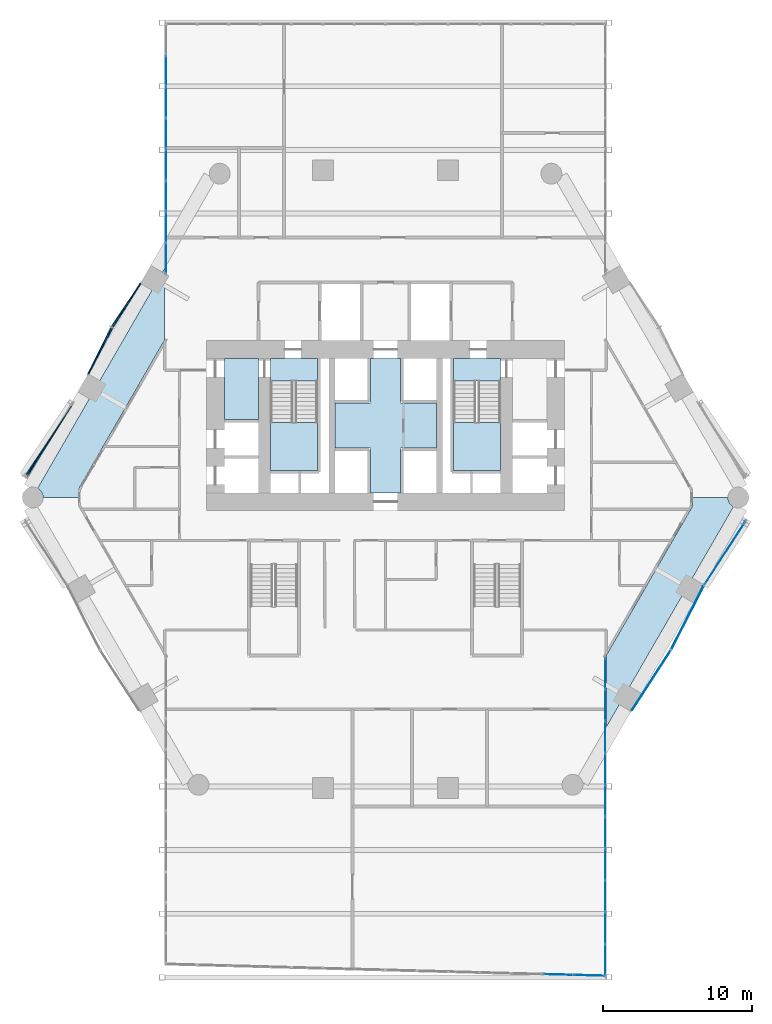
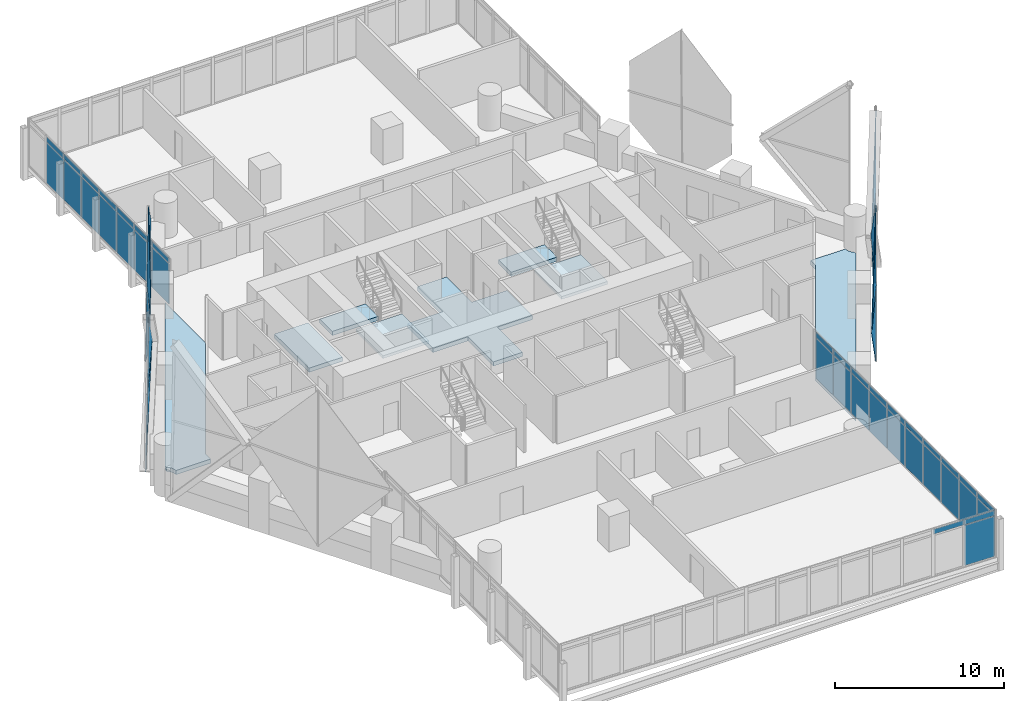
# One storey, part 24 of 35: 49 plates, 8 slabs, 13 elements without a shape of their own.
"""IFC4 building model written with IfcOpenShell, lengths in metres."""

import ifcopenshell
import ifcopenshell.guid

model = None  # the IFC model being written
_history = None  # IfcOwnerHistory: only IFC2X3 demands one
_inside = {}  # id of a spatial element -> (the spatial element, [elements in it])
_under = {}  # id of a project, library or spatial element -> (it, [spatial elements below it])
_declared = {}  # id of a project -> (the project, [libraries it declares])
_typed = {}  # id of a type object -> (the type object, [elements of that type])
_made_of = {}  # id of a material, layer set ... -> (it, [elements and type objects made of it])


def new_model(schema):
    """Start an empty IFC model of exactly this schema.

    Asked for "IFC4X3", IfcOpenShell would pick the latest addendum, in which some entities
    have other attributes; the version numbers below select the first issue.
    IFC2X3 requires an IfcOwnerHistory on every rooted entity: one is made here for all.
    """
    global model, _history
    if schema == "IFC4X3":
        model = ifcopenshell.file(schema_version=(4, 3, 0, 0))
    else:
        model = ifcopenshell.file(schema=schema)
    _inside.clear()
    _under.clear()
    _declared.clear()
    _typed.clear()
    _made_of.clear()
    _history = None
    if model.schema == "IFC2X3":
        org = make("IfcOrganization", Name="unknown")
        user = make(
            "IfcPersonAndOrganization",
            ThePerson=make("IfcPerson", FamilyName="unknown"),
            TheOrganization=org,
        )
        app = make(
            "IfcApplication",
            ApplicationDeveloper=org,
            Version="unknown",
            ApplicationFullName="unknown",
            ApplicationIdentifier="unknown",
        )
        _history = make(
            "IfcOwnerHistory",
            OwningUser=user,
            OwningApplication=app,
            ChangeAction="ADDED",
            CreationDate=0,
        )
    return model


def make(cls, **values):
    """One entity of the class cls with the attributes given. An attribute that is None is left unset."""
    return model.create_entity(
        cls, **{name: value for name, value in values.items() if value is not None}
    )


def rooted(cls, **values):
    """An entity with a GlobalId (a new one), such as an element, a storey or a relation."""
    return make(cls, GlobalId=ifcopenshell.guid.new(), OwnerHistory=_history, **values)


def si_unit(unit_type, name, prefix=None):
    """IfcSIUnit, for example si_unit("LENGTHUNIT", "METRE", prefix="MILLI")."""
    return make("IfcSIUnit", UnitType=unit_type, Prefix=prefix, Name=name)


def assignment(units):
    """IfcUnitAssignment: the units of a project."""
    return None if units is None else make("IfcUnitAssignment", Units=units)


def point(xyz):
    """IfcCartesianPoint."""
    return None if xyz is None else make("IfcCartesianPoint", Coordinates=xyz)


def direction(xyz):
    """IfcDirection."""
    return None if xyz is None else make("IfcDirection", DirectionRatios=xyz)


def frame(location, z_axis=None, x_axis=None):
    """IfcAxis2Placement3D, a coordinate frame: its origin and axes. An axis left out is left unset."""
    return make(
        "IfcAxis2Placement3D",
        Location=point(location),
        Axis=direction(z_axis),
        RefDirection=direction(x_axis),
    )


def frame_2d(location, x_axis=None):
    """IfcAxis2Placement2D, a coordinate frame in the plane: its origin and x axis."""
    return make(
        "IfcAxis2Placement2D", Location=point(location), RefDirection=direction(x_axis)
    )


def origin():
    """The frame at (0, 0, 0) with its axes left unset."""
    return frame((0.0, 0.0, 0.0))


def origin_2d():
    """The frame at (0, 0) in the plane with its x axis left unset."""
    return frame_2d((0.0, 0.0))


def place(relative_to, where):
    """IfcLocalPlacement: puts the frame where relative to a parent placement (None: the world)."""
    return make(
        "IfcLocalPlacement", PlacementRelTo=relative_to, RelativePlacement=where
    )


def context(
    kind, dimensions, precision=None, world=None, true_north=None, identifier=None
):
    """IfcGeometricRepresentationContext, for example the 3D "Model" context."""
    return make(
        "IfcGeometricRepresentationContext",
        ContextIdentifier=identifier,
        ContextType=kind,
        CoordinateSpaceDimension=dimensions,
        Precision=precision,
        WorldCoordinateSystem=world,
        TrueNorth=true_north,
    )


def subcontext(parent, identifier, kind, view, scale=None):
    """IfcGeometricRepresentationSubContext, for example "Body" below "Model"."""
    return make(
        "IfcGeometricRepresentationSubContext",
        ContextIdentifier=identifier,
        ContextType=kind,
        ParentContext=parent,
        TargetScale=scale,
        TargetView=view,
    )


def project(units=None, contexts=None):
    """IfcProject with its units and contexts."""
    return rooted(
        "IfcProject",
        Name="project",
        RepresentationContexts=contexts,
        UnitsInContext=assignment(units),
    )


def spatial(cls, under=None, at=None, **own):
    """A site, building, storey or space (cls), placed at a placement, below another one or the project."""
    s = rooted(cls, ObjectPlacement=at, **own)
    if under is not None:
        _under.setdefault(under.id(), (under, []))[1].append(s)
    return s


def polyline(points):
    """IfcPolyline through the points."""
    return make("IfcPolyline", Points=[point(p) for p in points])


def profile(cls, at=None, kind="AREA", **sizes):
    """A parametric profile (cls). Its sizes go by their IFC names, for example OverallWidth=200.0."""
    return make(cls, ProfileType=kind, Position=at, **sizes)


def rectangle(**sizes):
    """IfcRectangleProfileDef."""
    return profile("IfcRectangleProfileDef", **sizes)


def outline(outer, holes=None, kind="AREA"):
    """IfcArbitraryClosedProfileDef: a profile drawn as a closed curve; with holes, ...WithVoids."""
    if holes is None:
        return make("IfcArbitraryClosedProfileDef", ProfileType=kind, OuterCurve=outer)
    return make(
        "IfcArbitraryProfileDefWithVoids",
        ProfileType=kind,
        OuterCurve=outer,
        InnerCurves=holes,
    )


def extrude(swept, where, along, depth):
    """IfcExtrudedAreaSolid: the profile swept, set in the frame where, extruded along a direction by depth."""
    return make(
        "IfcExtrudedAreaSolid",
        SweptArea=swept,
        Position=where,
        ExtrudedDirection=direction(along),
        Depth=depth,
    )


def shape(context_of_items, identifier, shape_type, items):
    """IfcShapeRepresentation: the items that make up one representation, for example the "Body"."""
    return make(
        "IfcShapeRepresentation",
        ContextOfItems=context_of_items,
        RepresentationIdentifier=identifier,
        RepresentationType=shape_type,
        Items=items,
    )


def material(Name=None, Category=None):
    """IfcMaterial."""
    return make("IfcMaterial", Name=Name, Category=Category)


def layer(
    of_material, thickness, ventilated=None, Name=None, Category=None, Priority=None
):
    """IfcMaterialLayer: one layer of a wall or slab, of a material (None: an air gap)."""
    return make(
        "IfcMaterialLayer",
        Material=of_material,
        LayerThickness=thickness,
        IsVentilated=ventilated,
        Name=Name,
        Category=Category,
        Priority=Priority,
    )


def layer_set(layers, Name=None):
    """IfcMaterialLayerSet."""
    return make("IfcMaterialLayerSet", MaterialLayers=layers, LayerSetName=Name)


def made_of(thing, what):
    """Note that an element or type object is made of a material, layer set ...; save() writes the relation."""
    if what is not None:
        _made_of.setdefault(what.id(), (what, []))[1].append(thing)
    return thing


def type_object(cls, material=None, **own):
    """A type object (cls), such as IfcWallType, which elements share."""
    return made_of(rooted(cls, **own), material)


def element(
    cls,
    number,
    at=None,
    inside=None,
    cuts=None,
    type_object=None,
    material=None,
    context=None,
    identifier="Body",
    shape_type=None,
    held_by="IfcProductDefinitionShape",
    body=None,
    shapes=None,
    **own,
):
    """One element of the class cls, such as IfcWall. Its Tag is "e" and its number.

    at: its placement. inside: the storey or other place that contains it. cuts: it is an
    opening in that element (IfcRelVoidsElement). A single representation is given by context,
    identifier, shape_type and body (its items); several are given by shapes. held_by: the class
    of the entity that holds the representations. save() writes the other relations.
    """
    e = rooted(cls, Tag="e%d" % number, ObjectPlacement=at, **own)
    if body is not None:
        shapes = [shape(context, identifier, shape_type, body)]
    if shapes is not None:
        e.Representation = make(held_by, Representations=shapes)
    if inside is not None:
        _inside.setdefault(inside.id(), (inside, []))[1].append(e)
    if cuts is not None:
        rooted(
            "IfcRelVoidsElement", RelatingBuildingElement=cuts, RelatedOpeningElement=e
        )
    if type_object is not None:
        _typed.setdefault(type_object.id(), (type_object, []))[1].append(e)
    return made_of(e, material)


def aggregate(whole, parts):
    """IfcRelAggregates: a whole, such as a stair, and the parts it consists of."""
    return rooted("IfcRelAggregates", RelatingObject=whole, RelatedObjects=parts)


def save(model, path):
    """Write the relations noted so far, then the file.

    IfcRelAggregates (storeys below a building ...), IfcRelContainedInSpatialStructure (elements
    in a storey), IfcRelDefinesByType, IfcRelAssociatesMaterial and IfcRelDeclares: one each for
    every whole, place, type object, material and project.
    """
    for whole, parts in _under.values():
        aggregate(whole, parts)
    for where, things in _inside.values():
        rooted(
            "IfcRelContainedInSpatialStructure",
            RelatedElements=things,
            RelatingStructure=where,
        )
    for kind, things in _typed.values():
        rooted("IfcRelDefinesByType", RelatedObjects=things, RelatingType=kind)
    for what, things in _made_of.values():
        rooted("IfcRelAssociatesMaterial", RelatedObjects=things, RelatingMaterial=what)
    for by, libraries in _declared.values():
        rooted("IfcRelDeclares", RelatingContext=by, RelatedDefinitions=libraries)
    model.write(path)


model = new_model("IFC4")

# Units and contexts
model_context = context("Model", 3, precision=1e-05, world=origin(), true_north=direction((0.0, 1.0)))
body_context = subcontext(model_context, "Body", "Model", "MODEL_VIEW")
ifc_project = project(units=[si_unit("LENGTHUNIT", "METRE"), si_unit("AREAUNIT", "SQUARE_METRE"), si_unit("VOLUMEUNIT", "CUBIC_METRE"), si_unit("PLANEANGLEUNIT", "RADIAN"), si_unit("MASSUNIT", "GRAM", prefix="KILO")], contexts=[model_context])

# Site, building, storey
site_placement = place(None, origin())
site = spatial("IfcSite", under=ifc_project, at=site_placement, CompositionType="ELEMENT")
building_placement = place(site_placement, origin())
building = spatial("IfcBuilding", under=site, at=building_placement, Name="Ostrander Bayou Hotel Tower", CompositionType="ELEMENT")
storey_placement = place(building_placement, frame((0.0, 0.0, 69.25)))
storey = spatial("IfcBuildingStorey", under=building, at=storey_placement, Name="L17", CompositionType="ELEMENT", Elevation=69.25)

# Curtain wall, plates
ifc_material_1 = material(Name="Aluminium and clear glass", Category="aluminium")
curtain_wall_type_1 = type_object("IfcCurtainWallType", Name="CW-BAR glazed wall", PredefinedType="NOTDEFINED", material=ifc_material_1)
curtain_wall_1_placement = place(storey_placement, origin())
curtain_wall_1 = element("IfcCurtainWall", 1, at=curtain_wall_1_placement, inside=storey, type_object=curtain_wall_type_1, Name="CW-BAR L17:SB1S:T", PredefinedType="NOTDEFINED")
ifc_material_2 = material(Name="Clear laminated glass", Category="glass")
ifc_layer_1 = layer(ifc_material_2, 0.028076171875)
ifc_layer_set_1 = layer_set([ifc_layer_1], Name="CW-BR glazing panel 28 mm")
plate_type_1 = type_object("IfcPlateType", Name="CW-BR glazing panel 28 mm", PredefinedType="CURTAIN_PANEL", material=ifc_layer_set_1)
plate_1_placement = place(storey_placement, frame((11.5595703125, -32.7626953125, 3.02978515625), z_axis=(0.0, 0.0, 1.0), x_axis=(0.999634285133, -0.027042484848, 0.0)))
plate_1 = element("IfcPlate", 2, at=plate_1_placement, type_object=plate_type_1, Name="CW-BAR panel 13.2", PredefinedType="CURTAIN_PANEL", context=body_context, shape_type="SweptSolid", body=[
    extrude(rectangle(XDim=2.04248046875, YDim=0.028076171875, at=origin_2d()), origin(), (0.0, 0.0, 1.0), 0.360107421875),
])
plate_2_placement = place(storey_placement, frame((13.646240234375, -32.819091796875, 0.06005859375), z_axis=(0.0, 0.0, 1.0), x_axis=(0.999634285133, -0.027042484848, 0.0)))
plate_2 = element("IfcPlate", 3, at=plate_2_placement, type_object=plate_type_1, Name="CW-BAR panel 14.1", PredefinedType="CURTAIN_PANEL", context=body_context, shape_type="SweptSolid", body=[
    extrude(rectangle(XDim=2.012451171875, YDim=0.028076171875, at=origin_2d()), origin(), (0.0, 0.0, 1.0), 2.909912109375),
])
plate_3_placement = place(storey_placement, frame((13.646240234375, -32.819091796875, 3.02978515625), z_axis=(0.0, 0.0, 1.0), x_axis=(0.999634285133, -0.027042484848, 0.0)))
plate_3 = element("IfcPlate", 4, at=plate_3_placement, type_object=plate_type_1, Name="CW-BAR panel 14.2", PredefinedType="CURTAIN_PANEL", context=body_context, shape_type="SweptSolid", body=[
    extrude(rectangle(XDim=2.012451171875, YDim=0.028076171875, at=origin_2d()), origin(), (0.0, 0.0, 1.0), 0.360107421875),
])
aggregate(curtain_wall_1, [plate_1, plate_2, plate_3])

curtain_wall_2_placement = place(storey_placement, origin())
curtain_wall_2 = element("IfcCurtainWall", 5, at=curtain_wall_2_placement, inside=storey, type_object=curtain_wall_type_1, Name="CW-BAR L17:SB1S:W", PredefinedType="NOTDEFINED")
plate_4_placement = place(storey_placement, frame((14.712158203125, -12.59912109375, 0.06005859375), z_axis=(0.0, 0.0, 1.0), x_axis=(0.0, -1.0, 0.0)))
plate_4 = element("IfcPlate", 6, at=plate_4_placement, type_object=plate_type_1, Name="CW-BAR panel 1.1", PredefinedType="CURTAIN_PANEL", context=body_context, shape_type="SweptSolid", body=[
    extrude(rectangle(XDim=2.04296875, YDim=0.028076171875, at=origin_2d()), origin(), (0.0, 0.0, 1.0), 2.909912109375),
])
plate_5_placement = place(storey_placement, frame((14.712158203125, -12.59912109375, 3.02978515625), z_axis=(0.0, 0.0, 1.0), x_axis=(0.0, -1.0, 0.0)))
plate_5 = element("IfcPlate", 7, at=plate_5_placement, type_object=plate_type_1, Name="CW-BAR panel 1.2", PredefinedType="CURTAIN_PANEL", context=body_context, shape_type="SweptSolid", body=[
    extrude(rectangle(XDim=2.04296875, YDim=0.028076171875, at=origin_2d()), origin(), (0.0, 0.0, 1.0), 0.360107421875),
])
plate_6_placement = place(storey_placement, frame((14.712158203125, -14.71728515625, 0.06005859375), z_axis=(0.0, 0.0, 1.0), x_axis=(0.0, -1.0, 0.0)))
plate_6 = element("IfcPlate", 8, at=plate_6_placement, type_object=plate_type_1, Name="CW-BAR panel 2.1", PredefinedType="CURTAIN_PANEL", context=body_context, shape_type="SweptSolid", body=[
    extrude(rectangle(XDim=2.072998046875, YDim=0.028076171875, at=origin_2d()), origin(), (0.0, 0.0, 1.0), 2.909912109375),
])
plate_7_placement = place(storey_placement, frame((14.712158203125, -14.71728515625, 3.02978515625), z_axis=(0.0, 0.0, 1.0), x_axis=(0.0, -1.0, 0.0)))
plate_7 = element("IfcPlate", 9, at=plate_7_placement, type_object=plate_type_1, Name="CW-BAR panel 2.2", PredefinedType="CURTAIN_PANEL", context=body_context, shape_type="SweptSolid", body=[
    extrude(rectangle(XDim=2.072998046875, YDim=0.028076171875, at=origin_2d()), origin(), (0.0, 0.0, 1.0), 0.360107421875),
])
plate_8_placement = place(storey_placement, frame((14.712158203125, -16.850341796875, 0.06005859375), z_axis=(0.0, 0.0, 1.0), x_axis=(0.0, -1.0, 0.0)))
plate_8 = element("IfcPlate", 10, at=plate_8_placement, type_object=plate_type_1, Name="CW-BAR panel 3.1", PredefinedType="CURTAIN_PANEL", context=body_context, shape_type="SweptSolid", body=[
    extrude(rectangle(XDim=2.072998046875, YDim=0.028076171875, at=origin_2d()), origin(), (0.0, 0.0, 1.0), 2.909912109375),
])
plate_9_placement = place(storey_placement, frame((14.712158203125, -16.850341796875, 3.02978515625), z_axis=(0.0, 0.0, 1.0), x_axis=(0.0, -1.0, 0.0)))
plate_9 = element("IfcPlate", 11, at=plate_9_placement, type_object=plate_type_1, Name="CW-BAR panel 3.2", PredefinedType="CURTAIN_PANEL", context=body_context, shape_type="SweptSolid", body=[
    extrude(rectangle(XDim=2.072998046875, YDim=0.028076171875, at=origin_2d()), origin(), (0.0, 0.0, 1.0), 0.360107421875),
])
plate_10_placement = place(storey_placement, frame((14.712158203125, -18.9833984375, 0.06005859375), z_axis=(0.0, 0.0, 1.0), x_axis=(0.0, -1.0, 0.0)))
plate_10 = element("IfcPlate", 12, at=plate_10_placement, type_object=plate_type_1, Name="CW-BAR panel 4.1", PredefinedType="CURTAIN_PANEL", context=body_context, shape_type="SweptSolid", body=[
    extrude(rectangle(XDim=2.072998046875, YDim=0.028076171875, at=origin_2d()), origin(), (0.0, 0.0, 1.0), 2.909912109375),
])
plate_11_placement = place(storey_placement, frame((14.712158203125, -18.9833984375, 3.02978515625), z_axis=(0.0, 0.0, 1.0), x_axis=(0.0, -1.0, 0.0)))
plate_11 = element("IfcPlate", 13, at=plate_11_placement, type_object=plate_type_1, Name="CW-BAR panel 4.2", PredefinedType="CURTAIN_PANEL", context=body_context, shape_type="SweptSolid", body=[
    extrude(rectangle(XDim=2.072998046875, YDim=0.028076171875, at=origin_2d()), origin(), (0.0, 0.0, 1.0), 0.360107421875),
])
plate_12_placement = place(storey_placement, frame((14.712158203125, -21.116455078125, 0.06005859375), z_axis=(0.0, 0.0, 1.0), x_axis=(0.0, -1.0, 0.0)))
plate_12 = element("IfcPlate", 14, at=plate_12_placement, type_object=plate_type_1, Name="CW-BAR panel 5.1", PredefinedType="CURTAIN_PANEL", context=body_context, shape_type="SweptSolid", body=[
    extrude(rectangle(XDim=2.072998046875, YDim=0.028076171875, at=origin_2d()), origin(), (0.0, 0.0, 1.0), 2.909912109375),
])
plate_13_placement = place(storey_placement, frame((14.712158203125, -21.116455078125, 3.02978515625), z_axis=(0.0, 0.0, 1.0), x_axis=(0.0, -1.0, 0.0)))
plate_13 = element("IfcPlate", 15, at=plate_13_placement, type_object=plate_type_1, Name="CW-BAR panel 5.2", PredefinedType="CURTAIN_PANEL", context=body_context, shape_type="SweptSolid", body=[
    extrude(rectangle(XDim=2.072998046875, YDim=0.028076171875, at=origin_2d()), origin(), (0.0, 0.0, 1.0), 0.360107421875),
])
plate_14_placement = place(storey_placement, frame((14.712158203125, -23.249267578125, 0.06005859375), z_axis=(0.0, 0.0, 1.0), x_axis=(0.0, -1.0, 0.0)))
plate_14 = element("IfcPlate", 16, at=plate_14_placement, type_object=plate_type_1, Name="CW-BAR panel 6.1", PredefinedType="CURTAIN_PANEL", context=body_context, shape_type="SweptSolid", body=[
    extrude(rectangle(XDim=2.072998046875, YDim=0.028076171875, at=origin_2d()), origin(), (0.0, 0.0, 1.0), 2.909912109375),
])
plate_15_placement = place(storey_placement, frame((14.712158203125, -23.249267578125, 3.02978515625), z_axis=(0.0, 0.0, 1.0), x_axis=(0.0, -1.0, 0.0)))
plate_15 = element("IfcPlate", 17, at=plate_15_placement, type_object=plate_type_1, Name="CW-BAR panel 6.2", PredefinedType="CURTAIN_PANEL", context=body_context, shape_type="SweptSolid", body=[
    extrude(rectangle(XDim=2.072998046875, YDim=0.028076171875, at=origin_2d()), origin(), (0.0, 0.0, 1.0), 0.360107421875),
])
plate_16_placement = place(storey_placement, frame((14.712158203125, -25.38232421875, 0.06005859375), z_axis=(0.0, 0.0, 1.0), x_axis=(0.0, -1.0, 0.0)))
plate_16 = element("IfcPlate", 18, at=plate_16_placement, type_object=plate_type_1, Name="CW-BAR panel 7.1", PredefinedType="CURTAIN_PANEL", context=body_context, shape_type="SweptSolid", body=[
    extrude(rectangle(XDim=2.072998046875, YDim=0.028076171875, at=origin_2d()), origin(), (0.0, 0.0, 1.0), 2.909912109375),
])
plate_17_placement = place(storey_placement, frame((14.712158203125, -25.38232421875, 3.02978515625), z_axis=(0.0, 0.0, 1.0), x_axis=(0.0, -1.0, 0.0)))
plate_17 = element("IfcPlate", 19, at=plate_17_placement, type_object=plate_type_1, Name="CW-BAR panel 7.2", PredefinedType="CURTAIN_PANEL", context=body_context, shape_type="SweptSolid", body=[
    extrude(rectangle(XDim=2.072998046875, YDim=0.028076171875, at=origin_2d()), origin(), (0.0, 0.0, 1.0), 0.360107421875),
])
plate_18_placement = place(storey_placement, frame((14.712158203125, -27.515380859375, 0.06005859375), z_axis=(0.0, 0.0, 1.0), x_axis=(0.0, -1.0, 0.0)))
plate_18 = element("IfcPlate", 20, at=plate_18_placement, type_object=plate_type_1, Name="CW-BAR panel 8.1", PredefinedType="CURTAIN_PANEL", context=body_context, shape_type="SweptSolid", body=[
    extrude(rectangle(XDim=2.072998046875, YDim=0.028076171875, at=origin_2d()), origin(), (0.0, 0.0, 1.0), 2.909912109375),
])
plate_19_placement = place(storey_placement, frame((14.712158203125, -27.515380859375, 3.02978515625), z_axis=(0.0, 0.0, 1.0), x_axis=(0.0, -1.0, 0.0)))
plate_19 = element("IfcPlate", 21, at=plate_19_placement, type_object=plate_type_1, Name="CW-BAR panel 8.2", PredefinedType="CURTAIN_PANEL", context=body_context, shape_type="SweptSolid", body=[
    extrude(rectangle(XDim=2.072998046875, YDim=0.028076171875, at=origin_2d()), origin(), (0.0, 0.0, 1.0), 0.360107421875),
])
plate_20_placement = place(storey_placement, frame((14.712158203125, -29.6484375, 0.06005859375), z_axis=(0.0, 0.0, 1.0), x_axis=(0.0, -1.0, 0.0)))
plate_20 = element("IfcPlate", 22, at=plate_20_placement, type_object=plate_type_1, Name="CW-BAR panel 9.1", PredefinedType="CURTAIN_PANEL", context=body_context, shape_type="SweptSolid", body=[
    extrude(rectangle(XDim=2.072998046875, YDim=0.028076171875, at=origin_2d()), origin(), (0.0, 0.0, 1.0), 2.909912109375),
])
plate_21_placement = place(storey_placement, frame((14.712158203125, -29.6484375, 3.02978515625), z_axis=(0.0, 0.0, 1.0), x_axis=(0.0, -1.0, 0.0)))
plate_21 = element("IfcPlate", 23, at=plate_21_placement, type_object=plate_type_1, Name="CW-BAR panel 9.2", PredefinedType="CURTAIN_PANEL", context=body_context, shape_type="SweptSolid", body=[
    extrude(rectangle(XDim=2.072998046875, YDim=0.028076171875, at=origin_2d()), origin(), (0.0, 0.0, 1.0), 0.360107421875),
])
plate_22_placement = place(storey_placement, frame((14.712158203125, -31.7666015625, 0.06005859375), z_axis=(0.0, 0.0, 1.0), x_axis=(0.0, -1.0, 0.0)))
plate_22 = element("IfcPlate", 24, at=plate_22_placement, type_object=plate_type_1, Name="CW-BAR panel 10.1", PredefinedType="CURTAIN_PANEL", context=body_context, shape_type="SweptSolid", body=[
    extrude(rectangle(XDim=2.04296875, YDim=0.028076171875, at=origin_2d()), origin(), (0.0, 0.0, 1.0), 2.909912109375),
])
plate_23_placement = place(storey_placement, frame((14.712158203125, -31.7666015625, 3.02978515625), z_axis=(0.0, 0.0, 1.0), x_axis=(0.0, -1.0, 0.0)))
plate_23 = element("IfcPlate", 25, at=plate_23_placement, type_object=plate_type_1, Name="CW-BAR panel 10.2", PredefinedType="CURTAIN_PANEL", context=body_context, shape_type="SweptSolid", body=[
    extrude(rectangle(XDim=2.04296875, YDim=0.028076171875, at=origin_2d()), origin(), (0.0, 0.0, 1.0), 0.360107421875),
])
aggregate(curtain_wall_2, [plate_4, plate_5, plate_6, plate_7, plate_8, plate_9, plate_10, plate_11, plate_12, plate_13, plate_14, plate_15, plate_16, plate_17, plate_18, plate_19, plate_20, plate_21, plate_22, plate_23])

curtain_wall_3_placement = place(storey_placement, origin())
curtain_wall_3 = element("IfcCurtainWall", 26, at=curtain_wall_3_placement, inside=storey, type_object=curtain_wall_type_1, Name="CW-BAR L17:SB1N:E", PredefinedType="NOTDEFINED")
plate_24_placement = place(storey_placement, frame((-14.712158203125, 15.2080078125, 0.06005859375), z_axis=(0.0, 0.0, 1.0), x_axis=(0.0, 1.0, 0.0)))
plate_24 = element("IfcPlate", 27, at=plate_24_placement, type_object=plate_type_1, Name="CW-BAR panel 1.1", PredefinedType="CURTAIN_PANEL", context=body_context, shape_type="SweptSolid", body=[
    extrude(rectangle(XDim=2.00244140625, YDim=0.028076171875, at=origin_2d()), origin(), (0.0, 0.0, 1.0), 2.909912109375),
])
plate_25_placement = place(storey_placement, frame((-14.712158203125, 15.2080078125, 3.02978515625), z_axis=(0.0, 0.0, 1.0), x_axis=(0.0, 1.0, 0.0)))
plate_25 = element("IfcPlate", 28, at=plate_25_placement, type_object=plate_type_1, Name="CW-BAR panel 1.2", PredefinedType="CURTAIN_PANEL", context=body_context, shape_type="SweptSolid", body=[
    extrude(rectangle(XDim=2.00244140625, YDim=0.028076171875, at=origin_2d()), origin(), (0.0, 0.0, 1.0), 0.360107421875),
])
plate_26_placement = place(storey_placement, frame((-14.712158203125, 17.285400390625, 0.06005859375), z_axis=(0.0, 0.0, 1.0), x_axis=(0.0, 1.0, 0.0)))
plate_26 = element("IfcPlate", 29, at=plate_26_placement, type_object=plate_type_1, Name="CW-BAR panel 2.1", PredefinedType="CURTAIN_PANEL", context=body_context, shape_type="SweptSolid", body=[
    extrude(rectangle(XDim=2.032470703125, YDim=0.028076171875, at=origin_2d()), origin(), (0.0, 0.0, 1.0), 2.909912109375),
])
plate_27_placement = place(storey_placement, frame((-14.712158203125, 17.285400390625, 3.02978515625), z_axis=(0.0, 0.0, 1.0), x_axis=(0.0, 1.0, 0.0)))
plate_27 = element("IfcPlate", 30, at=plate_27_placement, type_object=plate_type_1, Name="CW-BAR panel 2.2", PredefinedType="CURTAIN_PANEL", context=body_context, shape_type="SweptSolid", body=[
    extrude(rectangle(XDim=2.032470703125, YDim=0.028076171875, at=origin_2d()), origin(), (0.0, 0.0, 1.0), 0.360107421875),
])
plate_28_placement = place(storey_placement, frame((-14.712158203125, 19.3779296875, 0.06005859375), z_axis=(0.0, 0.0, 1.0), x_axis=(0.0, 1.0, 0.0)))
plate_28 = element("IfcPlate", 31, at=plate_28_placement, type_object=plate_type_1, Name="CW-BAR panel 3.1", PredefinedType="CURTAIN_PANEL", context=body_context, shape_type="SweptSolid", body=[
    extrude(rectangle(XDim=2.032470703125, YDim=0.028076171875, at=origin_2d()), origin(), (0.0, 0.0, 1.0), 2.909912109375),
])
plate_29_placement = place(storey_placement, frame((-14.712158203125, 19.3779296875, 3.02978515625), z_axis=(0.0, 0.0, 1.0), x_axis=(0.0, 1.0, 0.0)))
plate_29 = element("IfcPlate", 32, at=plate_29_placement, type_object=plate_type_1, Name="CW-BAR panel 3.2", PredefinedType="CURTAIN_PANEL", context=body_context, shape_type="SweptSolid", body=[
    extrude(rectangle(XDim=2.032470703125, YDim=0.028076171875, at=origin_2d()), origin(), (0.0, 0.0, 1.0), 0.360107421875),
])
plate_30_placement = place(storey_placement, frame((-14.712158203125, 21.47021484375, 0.06005859375), z_axis=(0.0, 0.0, 1.0), x_axis=(0.0, 1.0, 0.0)))
plate_30 = element("IfcPlate", 33, at=plate_30_placement, type_object=plate_type_1, Name="CW-BAR panel 4.1", PredefinedType="CURTAIN_PANEL", context=body_context, shape_type="SweptSolid", body=[
    extrude(rectangle(XDim=2.032470703125, YDim=0.028076171875, at=origin_2d()), origin(), (0.0, 0.0, 1.0), 2.909912109375),
])
plate_31_placement = place(storey_placement, frame((-14.712158203125, 21.47021484375, 3.02978515625), z_axis=(0.0, 0.0, 1.0), x_axis=(0.0, 1.0, 0.0)))
plate_31 = element("IfcPlate", 34, at=plate_31_placement, type_object=plate_type_1, Name="CW-BAR panel 4.2", PredefinedType="CURTAIN_PANEL", context=body_context, shape_type="SweptSolid", body=[
    extrude(rectangle(XDim=2.032470703125, YDim=0.028076171875, at=origin_2d()), origin(), (0.0, 0.0, 1.0), 0.360107421875),
])
plate_32_placement = place(storey_placement, frame((-14.712158203125, 23.562744140625, 0.06005859375), z_axis=(0.0, 0.0, 1.0), x_axis=(0.0, 1.0, 0.0)))
plate_32 = element("IfcPlate", 35, at=plate_32_placement, type_object=plate_type_1, Name="CW-BAR panel 5.1", PredefinedType="CURTAIN_PANEL", context=body_context, shape_type="SweptSolid", body=[
    extrude(rectangle(XDim=2.032470703125, YDim=0.028076171875, at=origin_2d()), origin(), (0.0, 0.0, 1.0), 2.909912109375),
])
plate_33_placement = place(storey_placement, frame((-14.712158203125, 23.562744140625, 3.02978515625), z_axis=(0.0, 0.0, 1.0), x_axis=(0.0, 1.0, 0.0)))
plate_33 = element("IfcPlate", 36, at=plate_33_placement, type_object=plate_type_1, Name="CW-BAR panel 5.2", PredefinedType="CURTAIN_PANEL", context=body_context, shape_type="SweptSolid", body=[
    extrude(rectangle(XDim=2.032470703125, YDim=0.028076171875, at=origin_2d()), origin(), (0.0, 0.0, 1.0), 0.360107421875),
])
plate_34_placement = place(storey_placement, frame((-14.712158203125, 25.655029296875, 0.06005859375), z_axis=(0.0, 0.0, 1.0), x_axis=(0.0, 1.0, 0.0)))
plate_34 = element("IfcPlate", 37, at=plate_34_placement, type_object=plate_type_1, Name="CW-BAR panel 6.1", PredefinedType="CURTAIN_PANEL", context=body_context, shape_type="SweptSolid", body=[
    extrude(rectangle(XDim=2.032470703125, YDim=0.028076171875, at=origin_2d()), origin(), (0.0, 0.0, 1.0), 2.909912109375),
])
plate_35_placement = place(storey_placement, frame((-14.712158203125, 25.655029296875, 3.02978515625), z_axis=(0.0, 0.0, 1.0), x_axis=(0.0, 1.0, 0.0)))
plate_35 = element("IfcPlate", 38, at=plate_35_placement, type_object=plate_type_1, Name="CW-BAR panel 6.2", PredefinedType="CURTAIN_PANEL", context=body_context, shape_type="SweptSolid", body=[
    extrude(rectangle(XDim=2.032470703125, YDim=0.028076171875, at=origin_2d()), origin(), (0.0, 0.0, 1.0), 0.360107421875),
])
plate_36_placement = place(storey_placement, frame((-14.712158203125, 27.74755859375, 0.06005859375), z_axis=(0.0, 0.0, 1.0), x_axis=(0.0, 1.0, 0.0)))
plate_36 = element("IfcPlate", 39, at=plate_36_placement, type_object=plate_type_1, Name="CW-BAR panel 7.1", PredefinedType="CURTAIN_PANEL", context=body_context, shape_type="SweptSolid", body=[
    extrude(rectangle(XDim=2.032470703125, YDim=0.028076171875, at=origin_2d()), origin(), (0.0, 0.0, 1.0), 2.909912109375),
])
plate_37_placement = place(storey_placement, frame((-14.712158203125, 27.74755859375, 3.02978515625), z_axis=(0.0, 0.0, 1.0), x_axis=(0.0, 1.0, 0.0)))
plate_37 = element("IfcPlate", 40, at=plate_37_placement, type_object=plate_type_1, Name="CW-BAR panel 7.2", PredefinedType="CURTAIN_PANEL", context=body_context, shape_type="SweptSolid", body=[
    extrude(rectangle(XDim=2.032470703125, YDim=0.028076171875, at=origin_2d()), origin(), (0.0, 0.0, 1.0), 0.360107421875),
])
aggregate(curtain_wall_3, [plate_24, plate_25, plate_26, plate_27, plate_28, plate_29, plate_30, plate_31, plate_32, plate_33, plate_34, plate_35, plate_36, plate_37])

# Curtain wall, plate
ifc_material_3 = material(Name="Aluminium and clear glass", Category="aluminium")
curtain_wall_type_2 = type_object("IfcCurtainWallType", Name="CW-LAT lattice glazing", PredefinedType="NOTDEFINED", material=ifc_material_3)
curtain_wall_4_placement = place(storey_placement, origin())
curtain_wall_4 = element("IfcCurtainWall", 41, at=curtain_wall_4_placement, inside=storey, type_object=curtain_wall_type_2, Name="CW-LAT L17 NW 1", PredefinedType="NOTDEFINED")
ifc_material_4 = material(Name="Clear laminated glass", Category="glass")
ifc_layer_2 = layer(ifc_material_4, 0.028076171875)
ifc_layer_set_2 = layer_set([ifc_layer_2], Name="CW-LA glazing panel 28 mm")
plate_type_2 = type_object("IfcPlateType", Name="CW-LA glazing panel 28 mm", PredefinedType="CURTAIN_PANEL", material=ifc_layer_set_2)
plate_38_placement = place(storey_placement, frame((-16.45751953125, 13.533935546875, 2.82470703125), z_axis=(-0.838687047106, 0.544420390768, 0.014507761105), x_axis=(-0.397611911394, -0.593888121792, -0.699429529482)))
plate_38 = element("IfcPlate", 42, at=plate_38_placement, type_object=plate_type_2, Name="CW-LAT panel 1", PredefinedType="CURTAIN_PANEL", context=body_context, shape_type="SweptSolid", body=[
    extrude(outline(polyline([(0.0, 0.0), (4.896570764553433, 8.881784197001252e-16), (0.9584871197510063, 4.0173146787364935), (-1.5387810481524409, 1.5729034140896319), (0.0, 0.0)])), origin(), (0.0, 0.0, -1.0), 0.028076171875),
])

curtain_wall_5_placement = place(storey_placement, origin())
curtain_wall_5 = element("IfcCurtainWall", 43, at=curtain_wall_5_placement, inside=storey, type_object=curtain_wall_type_2, Name="CW-LAT L17 NW 2", PredefinedType="NOTDEFINED")
plate_39_placement = place(storey_placement, frame((-16.404296875, 13.49853515625, 7.22900390625), z_axis=(-0.838702938514, 0.544394460646, 0.014562010381), x_axis=(-0.380250319554, -0.604542922173, 0.699955391242)))
plate_39 = element("IfcPlate", 44, at=plate_39_placement, type_object=plate_type_2, Name="CW-LAT panel 2", PredefinedType="CURTAIN_PANEL", context=body_context, shape_type="SweptSolid", body=[
    extrude(outline(polyline([(0.0, 0.0), (4.8873092819029065, 0.0), (0.9522793546182502, -4.020310203676297), (-1.5431877019973639, -1.5740602342002674), (0.0, 0.0)])), origin(), (0.0, 0.0, -1.0), 0.028076171875),
])

curtain_wall_6_placement = place(storey_placement, origin())
curtain_wall_6 = element("IfcCurtainWall", 45, at=curtain_wall_6_placement, inside=storey, type_object=curtain_wall_type_2, Name="CW-LAT L17 NW 3", PredefinedType="NOTDEFINED")
plate_40_placement = place(storey_placement, frame((-19.94921875, 7.486083984375, 2.824462890625), z_axis=(-0.890830726632, 0.454103925556, 0.014499699439), x_axis=(0.315511118518, 0.64128185252, -0.699435715216)))
plate_40 = element("IfcPlate", 46, at=plate_40_placement, type_object=plate_type_2, Name="CW-LAT panel 3", PredefinedType="CURTAIN_PANEL", context=body_context, shape_type="SweptSolid", body=[
    extrude(outline(polyline([(0.0, 0.0), (4.8961790843411, -8.881784197001252e-16), (0.957889043954157, -4.017112342391842), (-1.539367783396117, -1.5726697427202732), (0.0, 0.0)])), origin(), (0.0, 0.0, -1.0), 0.028076171875),
])
aggregate(curtain_wall_6, [plate_40])

curtain_wall_7_placement = place(storey_placement, origin())
curtain_wall_7 = element("IfcCurtainWall", 47, at=curtain_wall_7_placement, inside=storey, type_object=curtain_wall_type_2, Name="CW-LAT L17 NW 4", PredefinedType="NOTDEFINED")
plate_41_placement = place(storey_placement, frame((-19.892333984375, 7.456787109375, 7.228515625), z_axis=(-0.890823110227, 0.45411636944, 0.014577698421), x_axis=(0.33341404686, 0.631576233209, 0.699961809674)))
plate_41 = element("IfcPlate", 48, at=plate_41_placement, type_object=plate_type_2, Name="CW-LAT panel 4", PredefinedType="CURTAIN_PANEL", context=body_context, shape_type="SweptSolid", body=[
    extrude(outline(polyline([(0.0, 0.0), (4.887960213009867, 4.440892098500626e-16), (0.9528921526228558, 4.0202728782106885), (-1.5425631316831148, 1.573991165056206), (0.0, 0.0)])), origin(), (0.0, 0.0, -1.0), 0.028076171875),
])
aggregate(curtain_wall_7, [plate_41])

# Plate
plate_42_placement = place(storey_placement, frame((-20.94189453125, 5.468505859375, 5.02490234375), z_axis=(-0.838682213551, 0.5444144641, 0.015001198323), x_axis=(-0.396361983128, -0.591250627808, -0.702367335123)))
plate_42 = element("IfcPlate", 49, at=plate_42_placement, type_object=plate_type_2, Name="CW-LAT panel 5", PredefinedType="CURTAIN_PANEL", context=body_context, shape_type="SweptSolid", body=[
    extrude(outline(polyline([(0.0, 0.0), (8.008629841844586, 0.0), (4.087541605758468, 4.034186962848201), (0.0, 0.0)])), origin(), (0.0, 0.0, -1.0), 0.028076171875),
])

aggregate(curtain_wall_4, [plate_38, plate_42])

plate_43_placement = place(storey_placement, frame((-20.94189453125, 5.468505859375, 5.02490234375), z_axis=(-0.838682510601, 0.544414656924, 0.014977574528), x_axis=(-0.381612363757, -0.607058323383, 0.697030986283)))
plate_43 = element("IfcPlate", 50, at=plate_43_placement, type_object=plate_type_2, Name="CW-LAT panel 6", PredefinedType="CURTAIN_PANEL", context=body_context, shape_type="SweptSolid", body=[
    extrude(outline(polyline([(0.0, 0.0), (8.069942528663018, 0.0), (4.117568099043483, -4.003535160300248), (0.0, 0.0)])), origin(), (0.0, 0.0, -1.0), 0.028076171875),
])

aggregate(curtain_wall_5, [plate_39, plate_43])

# Curtain wall, plate
curtain_wall_8_placement = place(storey_placement, origin())
curtain_wall_8 = element("IfcCurtainWall", 51, at=curtain_wall_8_placement, inside=storey, type_object=curtain_wall_type_2, Name="CW-LAT L17 SE 1", PredefinedType="NOTDEFINED")
plate_44_placement = place(storey_placement, frame((16.513916015625, -15.033203125, 4.805419921875), z_axis=(0.838397997954, -0.545058526239, 0.0), x_axis=(0.360596624073, 0.554662431901, -0.749879764592)))
plate_44 = element("IfcPlate", 52, at=plate_44_placement, type_object=plate_type_2, Name="CW-LAT panel 1", PredefinedType="CURTAIN_PANEL", context=body_context, shape_type="SweptSolid", body=[
    extrude(outline(polyline([(0.0, 0.0), (7.208512395406099, -4.440892098500626e-16), (2.9904387195765967, 3.721354520235098), (-0.1645854268476876, 0.14520389382340942), (0.0, 0.0)])), origin(), (0.0, 0.0, -1.0), 0.028076171875),
])

curtain_wall_9_placement = place(storey_placement, origin())
curtain_wall_9 = element("IfcCurtainWall", 53, at=curtain_wall_9_placement, inside=storey, type_object=curtain_wall_type_2, Name="CW-LAT L17 SE 2", PredefinedType="NOTDEFINED")
plate_45_placement = place(storey_placement, frame((16.513916015625, -15.033203125, 5.24462890625), z_axis=(-0.838397997954, 0.545058526239, 0.0), x_axis=(0.360605782364, 0.554676518999, 0.749864940504)))
plate_45 = element("IfcPlate", 54, at=plate_45_placement, type_object=plate_type_2, Name="CW-LAT panel 2", PredefinedType="CURTAIN_PANEL", context=body_context, shape_type="SweptSolid", body=[
    extrude(outline(polyline([(0.0, 0.0), (7.208329321101253, 0.0), (2.990339030766901, 3.7214490337293524), (-0.16476524571618564, 0.1453691028800528), (0.0, 0.0)])), origin(), (0.0, 0.0, -1.0), 0.028076171875),
])

curtain_wall_10_placement = place(storey_placement, origin())
curtain_wall_10 = element("IfcCurtainWall", 55, at=curtain_wall_10_placement, inside=storey, type_object=curtain_wall_type_2, Name="CW-LAT L17 SE 3", PredefinedType="NOTDEFINED")
plate_46_placement = place(storey_placement, frame((21.275634765625, -6.78564453125, 4.804443359375), z_axis=(-0.891240267948, 0.453531459535, 0.0), x_axis=(-0.300034418818, -0.589601339001, -0.749899732346)))
plate_46 = element("IfcPlate", 56, at=plate_46_placement, type_object=plate_type_2, Name="CW-LAT panel 3", PredefinedType="CURTAIN_PANEL", context=body_context, shape_type="SweptSolid", body=[
    extrude(outline(polyline([(0.0, 0.0), (7.207018195246423, -4.440892098500626e-16), (2.988832200802549, 3.7212272056779256), (-0.16532213337599036, 0.14584497251419995), (0.0, 0.0)])), origin(), (0.0, 0.0, -1.0), 0.028076171875),
])
aggregate(curtain_wall_10, [plate_46])

curtain_wall_11_placement = place(storey_placement, origin())
curtain_wall_11 = element("IfcCurtainWall", 57, at=curtain_wall_11_placement, inside=storey, type_object=curtain_wall_type_2, Name="CW-LAT L17 SE 4", PredefinedType="NOTDEFINED")
plate_47_placement = place(storey_placement, frame((21.275634765625, -6.78564453125, 5.24560546875), z_axis=(0.891240267948, -0.453531459535, 0.0), x_axis=(-0.300042040757, -0.589616316967, 0.749884906199)))
plate_47 = element("IfcPlate", 58, at=plate_47_placement, type_object=plate_type_2, Name="CW-LAT panel 4", PredefinedType="CURTAIN_PANEL", context=body_context, shape_type="SweptSolid", body=[
    extrude(outline(polyline([(0.0, 0.0), (7.206835116066891, 4.440892098500626e-16), (2.988732518700231, 3.7213217380506953), (-0.16550194218834466, 0.14601019319435019), (0.0, 0.0)])), origin(), (0.0, 0.0, -1.0), 0.028076171875),
])
aggregate(curtain_wall_11, [plate_47])

# Plate
plate_48_placement = place(storey_placement, frame((21.364013671875, -6.6123046875, 5.02490234375), z_axis=(-0.838405084401, 0.545046938744, 0.000865457383), x_axis=(0.36385682434, 0.560874659501, -0.743658407947)))
plate_48 = element("IfcPlate", 59, at=plate_48_placement, type_object=plate_type_2, Name="CW-LAT panel 5", PredefinedType="CURTAIN_PANEL", context=body_context, shape_type="SweptSolid", body=[
    extrude(outline(polyline([(0.0, 0.0), (7.5639567036234325, -4.440892098500626e-16), (3.317772388690842, -3.690457447971882), (0.0, 0.0)])), origin(), (0.0, 0.0, -1.0), 0.028076171875),
])

aggregate(curtain_wall_8, [plate_44, plate_48])

plate_49_placement = place(storey_placement, frame((21.364013671875, -6.6123046875, 5.02490234375), z_axis=(-0.838405084401, 0.545046938744, 0.000865457383), x_axis=(0.357231282887, 0.548301611685, 0.756142283668)))
plate_49 = element("IfcPlate", 60, at=plate_49_placement, type_object=plate_type_2, Name="CW-LAT panel 6", PredefinedType="CURTAIN_PANEL", context=body_context, shape_type="SweptSolid", body=[
    extrude(outline(polyline([(0.0, 0.0), (7.439076112391407, 0.0), (3.247539416369801, 3.7524095642100375), (0.0, 0.0)])), origin(), (0.0, 0.0, -1.0), 0.028076171875),
])

aggregate(curtain_wall_9, [plate_45, plate_49])

# Slabs
ifc_material_5 = material(Name="Concrete f'c 40 MPa", Category="concrete")
ifc_layer_3 = layer(ifc_material_5, 0.300048828125)
ifc_layer_set_3 = layer_set([ifc_layer_3], Name="SL1 floor slab 300 mm f'c 40 MPa")
slab_type_1 = type_object("IfcSlabType", Name="SL1 floor slab 300 mm f'c 40 MPa", PredefinedType="FLOOR", material=ifc_layer_set_3)
slab_1_placement = place(storey_placement, frame((0.0, 0.0, -0.300048828125)))
element("IfcSlab", 61, at=slab_1_placement, inside=storey, type_object=slab_type_1, Name="cslab:L17:001", PredefinedType="FLOOR", context=body_context, shape_type="SweptSolid", body=[
    extrude(outline(polyline([(-3.39990234375, 5.5), (-1.0, 5.5), (-1.0, 8.5), (1.0, 8.5), (1.0, 5.5), (3.39990234375, 5.5), (3.39990234375, 2.5), (1.0, 2.5), (1.0, -0.5), (-1.0, -0.5), (-1.0, 2.5), (-3.39990234375, 2.5), (-3.39990234375, 5.5)])), origin(), (0.0, 0.0, 1.0), 0.300048828125),
])
slab_2_placement = place(storey_placement, frame((0.0, 0.0, -0.300048828125)))
element("IfcSlab", 62, at=slab_2_placement, inside=storey, type_object=slab_type_1, Name="cslab:L17:002", PredefinedType="FLOOR", context=body_context, shape_type="SweptSolid", body=[
    extrude(outline(polyline([(-8.5, 4.39990234375), (-8.5, 8.5), (-10.800048828125, 8.5), (-10.800048828125, 4.39990234375), (-8.5, 4.39990234375)])), origin(), (0.0, 0.0, 1.0), 0.300048828125),
])
slab_3_placement = place(storey_placement, frame((0.0, 0.0, -0.300048828125)))
element("IfcSlab", 63, at=slab_3_placement, inside=storey, type_object=slab_type_1, Name="cslab:L17:004", PredefinedType="FLOOR", context=body_context, shape_type="SweptSolid", body=[
    extrude(outline(polyline([(-4.550048828125, 7.0), (-4.550048828125, 8.5), (-7.699951171875, 8.5), (-7.699951171875, 7.0), (-4.550048828125, 7.0)])), origin(), (0.0, 0.0, 1.0), 0.300048828125),
])
slab_4_placement = place(storey_placement, frame((0.0, 0.0, -0.300048828125)))
element("IfcSlab", 64, at=slab_4_placement, inside=storey, type_object=slab_type_1, Name="cslab:L17:005", PredefinedType="FLOOR", context=body_context, shape_type="SweptSolid", body=[
    extrude(outline(polyline([(7.699951171875, 7.0), (7.699951171875, 8.5), (4.550048828125, 8.5), (4.550048828125, 7.0), (7.699951171875, 7.0)])), origin(), (0.0, 0.0, 1.0), 0.300048828125),
])
ifc_material_6 = material(Name="Concrete f'c 40 MPa", Category="concrete")
ifc_layer_4 = layer(ifc_material_6, 0.300048828125)
ifc_layer_set_4 = layer_set([ifc_layer_4], Name="SL4 loggia slab 300 mm f'c 40 MPa")
slab_type_2 = type_object("IfcSlabType", Name="SL4 loggia slab 300 mm f'c 40 MPa", PredefinedType="FLOOR", material=ifc_layer_set_4)
slab_5_placement = place(storey_placement, frame((0.0, 0.0, -0.300048828125)))
element("IfcSlab", 65, at=slab_5_placement, inside=storey, type_object=slab_type_2, Name="SL4 LOGGIA L17 NW 1", PredefinedType="FLOOR", context=body_context, shape_type="SweptSolid", body=[
    extrude(outline(polyline([(-14.95849609375, 14.25439453125), (-14.787109375, 14.55126953125), (-14.787109375, 9.751220703125), (-20.543212890625, -0.21826171875), (-20.543212890625, -0.818359375), (-22.9287109375, -0.818359375), (-22.942138671875, -0.681640625), (-22.982177734375, -0.55029296875), (-23.046630859375, -0.429443359375), (-23.1337890625, -0.3232421875), (-23.227783203125, -0.24609375), (-23.227783203125, -0.068359375), (-19.823974609375, 5.827392578125), (-19.154052734375, 6.98779296875), (-16.2080078125, 12.090087890625), (-14.95849609375, 14.25439453125)])), origin(), (0.0, 0.0, 1.0), 0.300048828125),
])
slab_6_placement = place(storey_placement, frame((0.0, 0.0, -0.300048828125)))
element("IfcSlab", 66, at=slab_6_placement, inside=storey, type_object=slab_type_2, Name="SL4 LOGGIA L17 SE 1", PredefinedType="FLOOR", context=body_context, shape_type="SweptSolid", body=[
    extrude(outline(polyline([(16.337158203125, -13.503173828125), (15.667236328125, -14.66357421875), (14.787109375, -16.187744140625), (14.787109375, -11.3876953125), (20.543212890625, -1.418212890625), (20.543212890625, -0.818359375), (22.9287109375, -0.818359375), (22.942138671875, -0.954833984375), (22.982177734375, -1.086181640625), (23.046630859375, -1.207275390625), (23.1337890625, -1.313232421875), (23.227783203125, -1.390380859375), (23.227783203125, -1.568359375), (20.53271484375, -6.236328125), (19.862548828125, -7.39697265625), (16.337158203125, -13.503173828125)])), origin(), (0.0, 0.0, 1.0), 0.300048828125),
])

# Stair, slab
ifc_material_7 = material(Name="Concrete f'c 45 MPa", Category="concrete")
stair_type = type_object("IfcStairType", Name="ST1 exit stair 1500 mm f'c 45 MPa", PredefinedType="HALF_TURN_STAIR", material=ifc_material_7)
stair_1_placement = place(storey_placement, origin())
stair_1 = element("IfcStair", 67, at=stair_1_placement, inside=storey, type_object=stair_type, Name="L17 exit stair A", PredefinedType="HALF_TURN_STAIR")
ifc_material_8 = material(Name="Concrete f'c 45 MPa", Category="concrete")
ifc_layer_5 = layer(ifc_material_8, 0.199951171875)
ifc_layer_set_5 = layer_set([ifc_layer_5], Name="SL8 stair landing 200 mm f'c 45 MPa")
slab_type_3 = type_object("IfcSlabType", Name="SL8 stair landing 200 mm f'c 45 MPa", PredefinedType="LANDING", material=ifc_layer_set_5)
slab_7_placement = place(storey_placement, frame((0.0, 0.0, 1.675048828125)))
slab_7 = element("IfcSlab", 68, at=slab_7_placement, type_object=slab_type_3, Name="STA landing 1", PredefinedType="LANDING", context=body_context, shape_type="SweptSolid", body=[
    extrude(outline(polyline([(-7.699951171875, 4.199951171875), (-7.699951171875, 1.0), (-4.550048828125, 1.0), (-4.550048828125, 4.199951171875), (-7.699951171875, 4.199951171875)])), origin(), (0.0, 0.0, 1.0), 0.199951171875),
])
aggregate(stair_1, [slab_7])

stair_2_placement = place(storey_placement, origin())
stair_2 = element("IfcStair", 69, at=stair_2_placement, inside=storey, type_object=stair_type, Name="L17 exit stair B", PredefinedType="HALF_TURN_STAIR")
slab_8_placement = place(storey_placement, frame((0.0, 0.0, 1.675048828125)))
slab_8 = element("IfcSlab", 70, at=slab_8_placement, type_object=slab_type_3, Name="STB landing 1", PredefinedType="LANDING", context=body_context, shape_type="SweptSolid", body=[
    extrude(outline(polyline([(4.550048828125, 4.199951171875), (4.550048828125, 1.0), (7.699951171875, 1.0), (7.699951171875, 4.199951171875), (4.550048828125, 4.199951171875)])), origin(), (0.0, 0.0, 1.0), 0.199951171875),
])
aggregate(stair_2, [slab_8])

save(model, "model.ifc")
